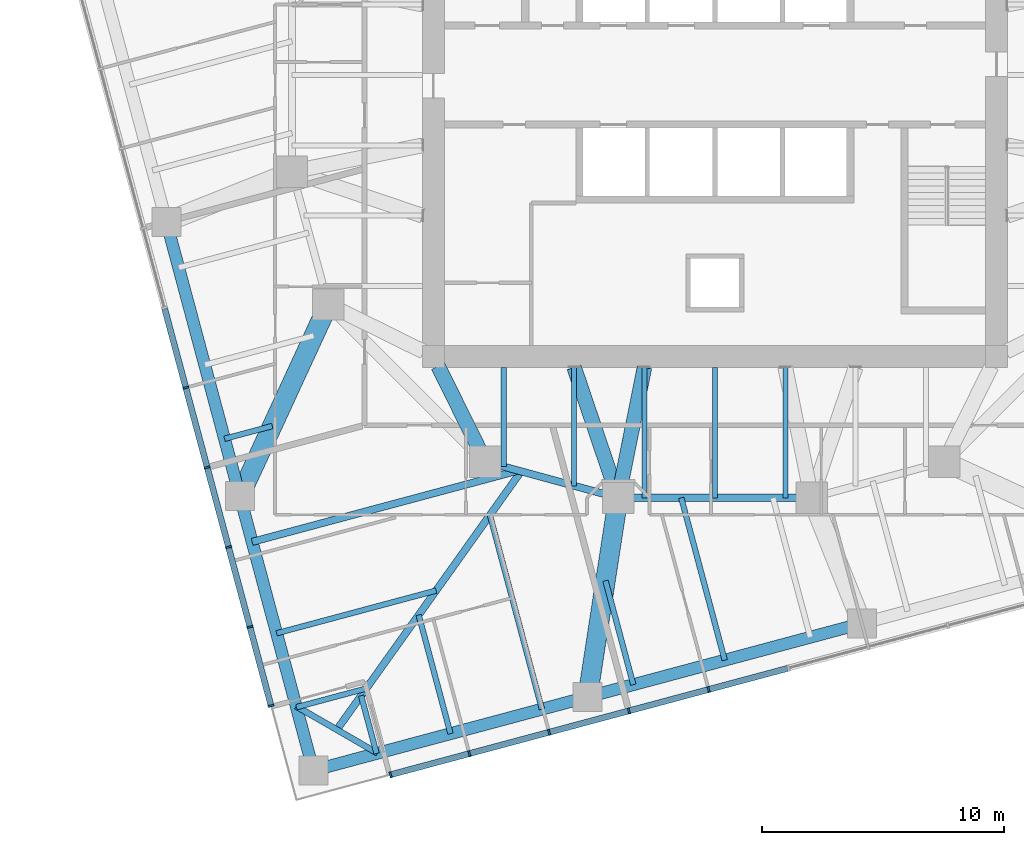
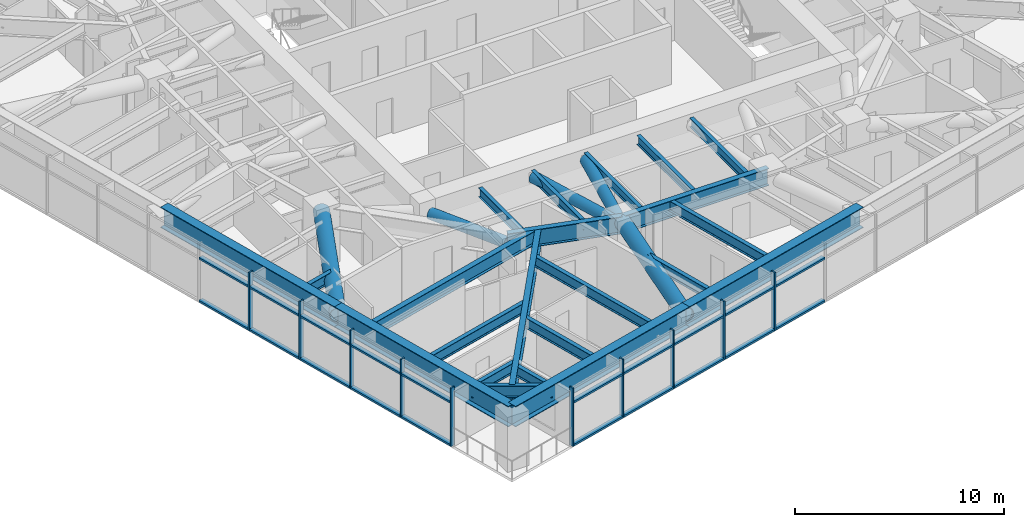
# One storey, part 2 of 18: 35 members, 22 beams, 2 elements without a shape of their own.
"""IFC4 building model written with IfcOpenShell, lengths in metres."""

from ifc_helpers import new_model, si_unit, direction, frame, origin, origin_2d, place, context, subcontext, project, spatial, rectangle, hollow_circle, i_section, extrude, material, material_profile, profile_set, type_object, element, aggregate, save


model = new_model("IFC4")

# Units and contexts
model_context = context("Model", 3, precision=1e-05, world=origin(), true_north=direction((0.0, 1.0)))
body_context = subcontext(model_context, "Body", "Model", "MODEL_VIEW")
ifc_project = project(units=[si_unit("LENGTHUNIT", "METRE"), si_unit("AREAUNIT", "SQUARE_METRE"), si_unit("VOLUMEUNIT", "CUBIC_METRE"), si_unit("PLANEANGLEUNIT", "RADIAN"), si_unit("MASSUNIT", "GRAM", prefix="KILO")], contexts=[model_context])

# Site, building, storey
site_placement = place(None, origin())
site = spatial("IfcSite", under=ifc_project, at=site_placement, CompositionType="ELEMENT")
building_placement = place(site_placement, origin())
building = spatial("IfcBuilding", under=site, at=building_placement, Name="Torsade Residences", CompositionType="ELEMENT")
storey_placement = place(building_placement, frame((0.0, 0.0, 135.39990234375)))
storey = spatial("IfcBuildingStorey", under=building, at=storey_placement, Name="L37", CompositionType="ELEMENT", Elevation=135.39990234375)

# Beams
ifc_material_1 = material(Name="Steel grade 300", Category="steel")
ifc_material_profile_1 = material_profile(ifc_material_1, i_section(OverallWidth=0.300048828125, OverallDepth=1.0, WebThickness=0.01611328125, FlangeThickness=0.028076171875, at=origin_2d()), Name="1000WB215")
ifc_profile_set_1 = profile_set([ifc_material_profile_1], Name="Steel grade 300")
beam_type_1 = type_object("IfcBeamType", Name="CORNER GIRDER 1000WB215", PredefinedType="BEAM", material=ifc_profile_set_1)
beam_1_placement = place(storey_placement, frame((24.355224609375, 2.902587890625, 2.7001953125), z_axis=(0.58060501147, 0.814185372416, 0.0), x_axis=(-0.814185372416, 0.58060501147, 0.0)))
element("IfcBeam", 1, at=beam_1_placement, inside=storey, type_object=beam_type_1, Name="Corner girder 01 L38", PredefinedType="BEAM", context=body_context, shape_type="SweptSolid", body=[
    extrude(i_section(OverallWidth=0.300048828125, OverallDepth=1.0, WebThickness=0.01611328125, FlangeThickness=0.028076171875, at=origin_2d()), origin(), (0.0, 0.0, 1.0), 13.134033203125),
])
ifc_material_2 = material(Name="Steel grade 300", Category="steel")
ifc_material_profile_2 = material_profile(ifc_material_2, i_section(OverallWidth=0.25, OverallDepth=0.699951171875, WebThickness=0.010009765625, FlangeThickness=0.02001953125, at=origin_2d()), Name="700WB130")
ifc_profile_set_2 = profile_set([ifc_material_profile_2], Name="Steel grade 300")
beam_type_2 = type_object("IfcBeamType", Name="CORNER TRIMMER 700WB130", PredefinedType="BEAM", material=ifc_profile_set_2)
beam_2_placement = place(storey_placement, frame((26.039306640625, 1.93017578125, 2.85009765625), z_axis=(-0.866028782848, 0.499994147244, 0.0), x_axis=(-0.499994147244, -0.866028782848, 0.0)))
element("IfcBeam", 2, at=beam_2_placement, inside=storey, type_object=beam_type_2, Name="Corner trimmer 01 L38", PredefinedType="BEAM", context=body_context, shape_type="SweptSolid", body=[
    extrude(i_section(OverallWidth=0.25, OverallDepth=0.699951171875, WebThickness=0.010009765625, FlangeThickness=0.02001953125, at=origin_2d()), origin(), (0.0, 0.0, 1.0), 3.88916015625),
])
ifc_material_3 = material(Name="Steel grade 300", Category="steel")
ifc_material_profile_3 = material_profile(ifc_material_3, i_section(OverallWidth=0.208984375, OverallDepth=0.528076171875, WebThickness=0.009521484375, FlangeThickness=0.01318359375, FilletRadius=0.013916015625, at=origin_2d()), Name="530UB82.0")
ifc_profile_set_3 = profile_set([ifc_material_profile_3], Name="Steel grade 300")
beam_type_3 = type_object("IfcBeamType", Name="INNER FLOOR BEAM 530UB82.0", PredefinedType="JOIST", material=ifc_profile_set_3)
for number, where, z_axis, x_axis, name in (
    (3, (42.91259765625, 17.89990234375, 2.93603515625), (0.0, -1.0, 0.0), (1.0, 0.0, 0.0), "Inner floor beam IS03 L38"),
    (4, (40.0, 17.89990234375, 2.93603515625), (0.0, -1.0, 0.0), (1.0, 0.0, 0.0), "Inner floor beam IS04 L38"),
    (5, (37.08740234375, 17.89990234375, 2.93603515625), (0.0, -1.0, 0.0), (1.0, 0.0, 0.0), "Inner floor beam IS05 L38"),
):
    element("IfcBeam", number, at=place(storey_placement, frame(where, z_axis=z_axis, x_axis=x_axis)), inside=storey, type_object=beam_type_3, Name=name, PredefinedType="JOIST", context=body_context, shape_type="SweptSolid", body=[
        extrude(i_section(OverallWidth=0.208984375, OverallDepth=0.528076171875, WebThickness=0.009521484375, FlangeThickness=0.01318359375, FilletRadius=0.013916015625, at=origin_2d()), origin(), (0.0, 0.0, 1.0), 5.39990234375),
    ])
beam_3_placement = place(storey_placement, frame((34.175048828125, 17.89990234375, 2.93603515625), z_axis=(0.0, -1.0, 0.0), x_axis=(1.0, 0.0, 0.0)))
element("IfcBeam", 6, at=beam_3_placement, inside=storey, type_object=beam_type_3, Name="Inner floor beam IS06 L38", PredefinedType="JOIST", context=body_context, shape_type="SweptSolid", body=[
    extrude(i_section(OverallWidth=0.208984375, OverallDepth=0.528076171875, WebThickness=0.009521484375, FlangeThickness=0.01318359375, FilletRadius=0.013916015625, at=origin_2d()), origin(), (0.0, 0.0, 1.0), 4.902099609375),
])
beam_4_placement = place(storey_placement, frame((31.262451171875, 17.89990234375, 2.93603515625), z_axis=(0.0, -1.0, 0.0), x_axis=(1.0, 0.0, 0.0)))
element("IfcBeam", 7, at=beam_4_placement, inside=storey, type_object=beam_type_3, Name="Inner floor beam IS07 L38", PredefinedType="JOIST", context=body_context, shape_type="SweptSolid", body=[
    extrude(i_section(OverallWidth=0.208984375, OverallDepth=0.528076171875, WebThickness=0.009521484375, FlangeThickness=0.01318359375, FilletRadius=0.013916015625, at=origin_2d()), origin(), (0.0, 0.0, 1.0), 4.10791015625),
])

# Curtain wall, members
ifc_material_4 = material(Name="Aluminium and glass", Category="aluminium")
curtain_wall_type = type_object("IfcCurtainWallType", Name="FRITTED GLASS CURTAIN WALL MID ZONE", PredefinedType="NOTDEFINED", material=ifc_material_4)
curtain_wall_1_placement = place(storey_placement, origin())
curtain_wall_1 = element("IfcCurtainWall", 8, at=curtain_wall_1_placement, inside=storey, type_object=curtain_wall_type, Name="Curtain wall L37 face 1", PredefinedType="NOTDEFINED")
ifc_material_5 = material(Name="Aluminium mullion", Category="aluminium")
ifc_material_profile_4 = material_profile(ifc_material_5, rectangle(XDim=0.25, YDim=0.080078125, at=origin_2d()), Name="MID ZONE CURTAIN WALL MULLION 250x80")
ifc_profile_set_4 = profile_set([ifc_material_profile_4], Name="Aluminium mullion")
member_type_1 = type_object("IfcMemberType", Name="MID ZONE CURTAIN WALL MULLION 250x80", PredefinedType="MULLION", material=ifc_profile_set_4)
member_1_placement = place(storey_placement, frame((26.578125, 1.039306640625, 0.0), z_axis=(0.0, 0.0, 1.0), x_axis=(-0.258819047783, 0.965925825571, 0.0)))
member_1 = element("IfcMember", 9, at=member_1_placement, type_object=member_type_1, Name="Mullion 1", PredefinedType="MULLION", context=body_context, shape_type="SweptSolid", body=[
    extrude(rectangle(XDim=0.25, YDim=0.080078125, at=origin_2d()), origin(), (0.0, 0.0, 1.0), 3.400146484375),
])
member_2_placement = place(storey_placement, frame((29.83984375, 1.913330078125, 0.0), z_axis=(0.0, 0.0, 1.0), x_axis=(-0.258819047783, 0.965925825571, 0.0)))
member_2 = element("IfcMember", 10, at=member_2_placement, type_object=member_type_1, Name="Mullion 2", PredefinedType="MULLION", context=body_context, shape_type="SweptSolid", body=[
    extrude(rectangle(XDim=0.25, YDim=0.080078125, at=origin_2d()), origin(), (0.0, 0.0, 1.0), 3.400146484375),
])
member_3_placement = place(storey_placement, frame((33.14013671875, 2.797607421875, 0.0), z_axis=(0.0, 0.0, 1.0), x_axis=(-0.258819047783, 0.965925825571, 0.0)))
member_3 = element("IfcMember", 11, at=member_3_placement, type_object=member_type_1, Name="Mullion 3", PredefinedType="MULLION", context=body_context, shape_type="SweptSolid", body=[
    extrude(rectangle(XDim=0.25, YDim=0.080078125, at=origin_2d()), origin(), (0.0, 0.0, 1.0), 3.400146484375),
])
member_4_placement = place(storey_placement, frame((36.4404296875, 3.681884765625, 0.0), z_axis=(0.0, 0.0, 1.0), x_axis=(-0.258819047783, 0.965925825571, 0.0)))
member_4 = element("IfcMember", 12, at=member_4_placement, type_object=member_type_1, Name="Mullion 4", PredefinedType="MULLION", context=body_context, shape_type="SweptSolid", body=[
    extrude(rectangle(XDim=0.25, YDim=0.080078125, at=origin_2d()), origin(), (0.0, 0.0, 1.0), 3.400146484375),
])
member_5_placement = place(storey_placement, frame((39.740478515625, 4.566162109375, 0.0), z_axis=(0.0, 0.0, 1.0), x_axis=(-0.258819047783, 0.965925825571, 0.0)))
member_5 = element("IfcMember", 13, at=member_5_placement, type_object=member_type_1, Name="Mullion 5", PredefinedType="MULLION", context=body_context, shape_type="SweptSolid", body=[
    extrude(rectangle(XDim=0.25, YDim=0.080078125, at=origin_2d()), origin(), (0.0, 0.0, 1.0), 3.400146484375),
])

curtain_wall_2_placement = place(storey_placement, origin())
curtain_wall_2 = element("IfcCurtainWall", 14, at=curtain_wall_2_placement, inside=storey, type_object=curtain_wall_type, Name="Curtain wall L37 face 10", PredefinedType="NOTDEFINED")
member_6_placement = place(storey_placement, frame((18.103515625, 17.058349609375, 0.0), z_axis=(0.0, 0.0, 1.0), x_axis=(0.965925825571, 0.258819047783, 0.0)))
member_6 = element("IfcMember", 15, at=member_6_placement, type_object=member_type_1, Name="Mullion 9", PredefinedType="MULLION", context=body_context, shape_type="SweptSolid", body=[
    extrude(rectangle(XDim=0.25, YDim=0.080078125, at=origin_2d()), origin(), (0.0, 0.0, 1.0), 3.400146484375),
])
member_7_placement = place(storey_placement, frame((18.98779296875, 13.75830078125, 0.0), z_axis=(0.0, 0.0, 1.0), x_axis=(0.965925825571, 0.258819047783, 0.0)))
member_7 = element("IfcMember", 16, at=member_7_placement, type_object=member_type_1, Name="Mullion 10", PredefinedType="MULLION", context=body_context, shape_type="SweptSolid", body=[
    extrude(rectangle(XDim=0.25, YDim=0.080078125, at=origin_2d()), origin(), (0.0, 0.0, 1.0), 3.400146484375),
])
member_8_placement = place(storey_placement, frame((19.8720703125, 10.4580078125, 0.0), z_axis=(0.0, 0.0, 1.0), x_axis=(0.965925825571, 0.258819047783, 0.0)))
member_8 = element("IfcMember", 17, at=member_8_placement, type_object=member_type_1, Name="Mullion 11", PredefinedType="MULLION", context=body_context, shape_type="SweptSolid", body=[
    extrude(rectangle(XDim=0.25, YDim=0.080078125, at=origin_2d()), origin(), (0.0, 0.0, 1.0), 3.400146484375),
])
member_9_placement = place(storey_placement, frame((20.75634765625, 7.15771484375, 0.0), z_axis=(0.0, 0.0, 1.0), x_axis=(0.965925825571, 0.258819047783, 0.0)))
member_9 = element("IfcMember", 18, at=member_9_placement, type_object=member_type_1, Name="Mullion 12", PredefinedType="MULLION", context=body_context, shape_type="SweptSolid", body=[
    extrude(rectangle(XDim=0.25, YDim=0.080078125, at=origin_2d()), origin(), (0.0, 0.0, 1.0), 3.400146484375),
])
member_10_placement = place(storey_placement, frame((21.63037109375, 3.89599609375, 0.0), z_axis=(0.0, 0.0, 1.0), x_axis=(0.965925825571, 0.258819047783, 0.0)))
member_10 = element("IfcMember", 19, at=member_10_placement, type_object=member_type_1, Name="Mullion 13", PredefinedType="MULLION", context=body_context, shape_type="SweptSolid", body=[
    extrude(rectangle(XDim=0.25, YDim=0.080078125, at=origin_2d()), origin(), (0.0, 0.0, 1.0), 3.400146484375),
])

# Member
ifc_material_6 = material(Name="Aluminium transom", Category="aluminium")
ifc_material_profile_5 = material_profile(ifc_material_6, rectangle(XDim=0.25, YDim=0.110107421875, at=origin_2d()), Name="MID ZONE CURTAIN WALL TRANSOM 250x110")
ifc_profile_set_5 = profile_set([ifc_material_profile_5], Name="Aluminium transom")
member_type_2 = type_object("IfcMemberType", Name="MID ZONE CURTAIN WALL TRANSOM 250x110", PredefinedType="USERDEFINED", material=ifc_profile_set_5)
member_11_placement = place(storey_placement, frame((26.616943359375, 1.0498046875, 0.05517578125), z_axis=(0.965923258633, 0.258828627534, 0.0), x_axis=(-0.258828627534, 0.965923258633, 0.0)))
member_11 = element("IfcMember", 20, at=member_11_placement, type_object=member_type_2, Name="Transom 1.1", ObjectType="TRANSOM", PredefinedType="USERDEFINED", context=body_context, shape_type="SweptSolid", body=[
    extrude(rectangle(XDim=0.25, YDim=0.110107421875, at=origin_2d()), origin(), (0.0, 0.0, 1.0), 3.296630859375),
])

member_12_placement = place(storey_placement, frame((26.616943359375, 1.0498046875, 2.55517578125), z_axis=(0.965923258633, 0.258828627534, 0.0), x_axis=(-0.258828627534, 0.965923258633, 0.0)))
member_12 = element("IfcMember", 21, at=member_12_placement, type_object=member_type_2, Name="Transom 1.2", ObjectType="TRANSOM", PredefinedType="USERDEFINED", context=body_context, shape_type="SweptSolid", body=[
    extrude(rectangle(XDim=0.25, YDim=0.110107421875, at=origin_2d()), origin(), (0.0, 0.0, 1.0), 3.296630859375),
])

member_13_placement = place(storey_placement, frame((29.87841796875, 1.923583984375, 0.05517578125), z_axis=(0.965916044226, 0.258855549498, 0.0), x_axis=(-0.258855549498, 0.965916044226, 0.0)))
member_13 = element("IfcMember", 22, at=member_13_placement, type_object=member_type_2, Name="Transom 2.1", ObjectType="TRANSOM", PredefinedType="USERDEFINED", context=body_context, shape_type="SweptSolid", body=[
    extrude(rectangle(XDim=0.25, YDim=0.110107421875, at=origin_2d()), origin(), (0.0, 0.0, 1.0), 3.3369140625),
])

member_14_placement = place(storey_placement, frame((29.87841796875, 1.923583984375, 2.55517578125), z_axis=(0.965916044226, 0.258855549498, 0.0), x_axis=(-0.258855549498, 0.965916044226, 0.0)))
member_14 = element("IfcMember", 23, at=member_14_placement, type_object=member_type_2, Name="Transom 2.2", ObjectType="TRANSOM", PredefinedType="USERDEFINED", context=body_context, shape_type="SweptSolid", body=[
    extrude(rectangle(XDim=0.25, YDim=0.110107421875, at=origin_2d()), origin(), (0.0, 0.0, 1.0), 3.3369140625),
])

member_15_placement = place(storey_placement, frame((33.1787109375, 2.807861328125, 0.05517578125), z_axis=(0.96591114124, 0.258873844232, 0.0), x_axis=(-0.258873844232, 0.96591114124, 0.0)))
member_15 = element("IfcMember", 24, at=member_15_placement, type_object=member_type_2, Name="Transom 3.1", ObjectType="TRANSOM", PredefinedType="USERDEFINED", context=body_context, shape_type="SweptSolid", body=[
    extrude(rectangle(XDim=0.25, YDim=0.110107421875, at=origin_2d()), origin(), (0.0, 0.0, 1.0), 3.336669921875),
])

member_16_placement = place(storey_placement, frame((33.1787109375, 2.807861328125, 2.55517578125), z_axis=(0.96591114124, 0.258873844232, 0.0), x_axis=(-0.258873844232, 0.96591114124, 0.0)))
member_16 = element("IfcMember", 25, at=member_16_placement, type_object=member_type_2, Name="Transom 3.2", ObjectType="TRANSOM", PredefinedType="USERDEFINED", context=body_context, shape_type="SweptSolid", body=[
    extrude(rectangle(XDim=0.25, YDim=0.110107421875, at=origin_2d()), origin(), (0.0, 0.0, 1.0), 3.336669921875),
])

member_17_placement = place(storey_placement, frame((36.47900390625, 3.6923828125, 0.05517578125), z_axis=(0.965929435155, 0.258805576255, 0.0), x_axis=(-0.258805576255, 0.965929435155, 0.0)))
member_17 = element("IfcMember", 26, at=member_17_placement, type_object=member_type_2, Name="Transom 4.1", ObjectType="TRANSOM", PredefinedType="USERDEFINED", context=body_context, shape_type="SweptSolid", body=[
    extrude(rectangle(XDim=0.25, YDim=0.110107421875, at=origin_2d()), origin(), (0.0, 0.0, 1.0), 3.336669921875),
])

member_18_placement = place(storey_placement, frame((36.47900390625, 3.6923828125, 2.55517578125), z_axis=(0.965929435155, 0.258805576255, 0.0), x_axis=(-0.258805576255, 0.965929435155, 0.0)))
member_18 = element("IfcMember", 27, at=member_18_placement, type_object=member_type_2, Name="Transom 4.2", ObjectType="TRANSOM", PredefinedType="USERDEFINED", context=body_context, shape_type="SweptSolid", body=[
    extrude(rectangle(XDim=0.25, YDim=0.110107421875, at=origin_2d()), origin(), (0.0, 0.0, 1.0), 3.336669921875),
])

member_19_placement = place(storey_placement, frame((39.779296875, 4.57666015625, 0.05517578125), z_axis=(0.965929435155, 0.258805576255, 0.0), x_axis=(-0.258805576255, 0.965929435155, 0.0)))
member_19 = element("IfcMember", 28, at=member_19_placement, type_object=member_type_2, Name="Transom 5.1", ObjectType="TRANSOM", PredefinedType="USERDEFINED", context=body_context, shape_type="SweptSolid", body=[
    extrude(rectangle(XDim=0.25, YDim=0.110107421875, at=origin_2d()), origin(), (0.0, 0.0, 1.0), 3.336669921875),
])

member_20_placement = place(storey_placement, frame((39.779296875, 4.57666015625, 2.55517578125), z_axis=(0.965929435155, 0.258805576255, 0.0), x_axis=(-0.258805576255, 0.965929435155, 0.0)))
member_20 = element("IfcMember", 29, at=member_20_placement, type_object=member_type_2, Name="Transom 5.2", ObjectType="TRANSOM", PredefinedType="USERDEFINED", context=body_context, shape_type="SweptSolid", body=[
    extrude(rectangle(XDim=0.25, YDim=0.110107421875, at=origin_2d()), origin(), (0.0, 0.0, 1.0), 3.336669921875),
])

aggregate(curtain_wall_1, [member_1, member_2, member_3, member_4, member_5, member_11, member_12, member_13, member_14, member_15, member_16, member_17, member_18, member_19, member_20])

member_21_placement = place(storey_placement, frame((17.2294921875, 20.320068359375, 0.05517578125), z_axis=(0.258805576255, -0.965929435155, 0.0), x_axis=(0.965929435155, 0.258805576255, 0.0)))
member_21 = element("IfcMember", 30, at=member_21_placement, type_object=member_type_2, Name="Transom 8.1", ObjectType="TRANSOM", PredefinedType="USERDEFINED", context=body_context, shape_type="SweptSolid", body=[
    extrude(rectangle(XDim=0.25, YDim=0.110107421875, at=origin_2d()), origin(), (0.0, 0.0, 1.0), 3.336669921875),
])

member_22_placement = place(storey_placement, frame((17.2294921875, 20.320068359375, 2.55517578125), z_axis=(0.258805576255, -0.965929435155, 0.0), x_axis=(0.965929435155, 0.258805576255, 0.0)))
member_22 = element("IfcMember", 31, at=member_22_placement, type_object=member_type_2, Name="Transom 8.2", ObjectType="TRANSOM", PredefinedType="USERDEFINED", context=body_context, shape_type="SweptSolid", body=[
    extrude(rectangle(XDim=0.25, YDim=0.110107421875, at=origin_2d()), origin(), (0.0, 0.0, 1.0), 3.336669921875),
])

member_23_placement = place(storey_placement, frame((18.11376953125, 17.019775390625, 0.05517578125), z_axis=(0.258805576255, -0.965929435155, 0.0), x_axis=(0.965929435155, 0.258805576255, 0.0)))
member_23 = element("IfcMember", 32, at=member_23_placement, type_object=member_type_2, Name="Transom 9.1", ObjectType="TRANSOM", PredefinedType="USERDEFINED", context=body_context, shape_type="SweptSolid", body=[
    extrude(rectangle(XDim=0.25, YDim=0.110107421875, at=origin_2d()), origin(), (0.0, 0.0, 1.0), 3.336669921875),
])

member_24_placement = place(storey_placement, frame((18.11376953125, 17.019775390625, 2.55517578125), z_axis=(0.258805576255, -0.965929435155, 0.0), x_axis=(0.965929435155, 0.258805576255, 0.0)))
member_24 = element("IfcMember", 33, at=member_24_placement, type_object=member_type_2, Name="Transom 9.2", ObjectType="TRANSOM", PredefinedType="USERDEFINED", context=body_context, shape_type="SweptSolid", body=[
    extrude(rectangle(XDim=0.25, YDim=0.110107421875, at=origin_2d()), origin(), (0.0, 0.0, 1.0), 3.336669921875),
])

member_25_placement = place(storey_placement, frame((18.998046875, 13.719482421875, 0.05517578125), z_axis=(0.258805576255, -0.965929435155, 0.0), x_axis=(0.965929435155, 0.258805576255, 0.0)))
member_25 = element("IfcMember", 34, at=member_25_placement, type_object=member_type_2, Name="Transom 10.1", ObjectType="TRANSOM", PredefinedType="USERDEFINED", context=body_context, shape_type="SweptSolid", body=[
    extrude(rectangle(XDim=0.25, YDim=0.110107421875, at=origin_2d()), origin(), (0.0, 0.0, 1.0), 3.336669921875),
])

member_26_placement = place(storey_placement, frame((18.998046875, 13.719482421875, 2.55517578125), z_axis=(0.258805576255, -0.965929435155, 0.0), x_axis=(0.965929435155, 0.258805576255, 0.0)))
member_26 = element("IfcMember", 35, at=member_26_placement, type_object=member_type_2, Name="Transom 10.2", ObjectType="TRANSOM", PredefinedType="USERDEFINED", context=body_context, shape_type="SweptSolid", body=[
    extrude(rectangle(XDim=0.25, YDim=0.110107421875, at=origin_2d()), origin(), (0.0, 0.0, 1.0), 3.336669921875),
])

member_27_placement = place(storey_placement, frame((19.88232421875, 10.419189453125, 0.05517578125), z_axis=(0.258805576255, -0.965929435155, 0.0), x_axis=(0.965929435155, 0.258805576255, 0.0)))
member_27 = element("IfcMember", 36, at=member_27_placement, type_object=member_type_2, Name="Transom 11.1", ObjectType="TRANSOM", PredefinedType="USERDEFINED", context=body_context, shape_type="SweptSolid", body=[
    extrude(rectangle(XDim=0.25, YDim=0.110107421875, at=origin_2d()), origin(), (0.0, 0.0, 1.0), 3.336669921875),
])

member_28_placement = place(storey_placement, frame((19.88232421875, 10.419189453125, 2.55517578125), z_axis=(0.258805576255, -0.965929435155, 0.0), x_axis=(0.965929435155, 0.258805576255, 0.0)))
member_28 = element("IfcMember", 37, at=member_28_placement, type_object=member_type_2, Name="Transom 11.2", ObjectType="TRANSOM", PredefinedType="USERDEFINED", context=body_context, shape_type="SweptSolid", body=[
    extrude(rectangle(XDim=0.25, YDim=0.110107421875, at=origin_2d()), origin(), (0.0, 0.0, 1.0), 3.336669921875),
])

member_29_placement = place(storey_placement, frame((20.7666015625, 7.119140625, 0.05517578125), z_axis=(0.258828627534, -0.965923258633, 0.0), x_axis=(0.965923258633, 0.258828627534, 0.0)))
member_29 = element("IfcMember", 38, at=member_29_placement, type_object=member_type_2, Name="Transom 12.1", ObjectType="TRANSOM", PredefinedType="USERDEFINED", context=body_context, shape_type="SweptSolid", body=[
    extrude(rectangle(XDim=0.25, YDim=0.110107421875, at=origin_2d()), origin(), (0.0, 0.0, 1.0), 3.296630859375),
])

member_30_placement = place(storey_placement, frame((20.7666015625, 7.119140625, 2.55517578125), z_axis=(0.258828627534, -0.965923258633, 0.0), x_axis=(0.965923258633, 0.258828627534, 0.0)))
member_30 = element("IfcMember", 39, at=member_30_placement, type_object=member_type_2, Name="Transom 12.2", ObjectType="TRANSOM", PredefinedType="USERDEFINED", context=body_context, shape_type="SweptSolid", body=[
    extrude(rectangle(XDim=0.25, YDim=0.110107421875, at=origin_2d()), origin(), (0.0, 0.0, 1.0), 3.296630859375),
])

aggregate(curtain_wall_2, [member_6, member_7, member_8, member_9, member_10, member_21, member_22, member_23, member_24, member_25, member_26, member_27, member_28, member_29, member_30])

# Beams
ifc_material_7 = material(Name="Steel grade 300", Category="steel")
ifc_material_profile_6 = material_profile(ifc_material_7, i_section(OverallWidth=0.300048828125, OverallDepth=1.0, WebThickness=0.01611328125, FlangeThickness=0.028076171875, at=origin_2d()), Name="1000WB215")
ifc_profile_set_6 = profile_set([ifc_material_profile_6], Name="Steel grade 300")
beam_type_4 = type_object("IfcBeamType", Name="RING GIRDER 1000WB215", PredefinedType="BEAM", material=ifc_profile_set_6)
beam_5_placement = place(storey_placement, frame((30.5, 14.0, 2.7001953125), z_axis=(0.964763821238, -0.263117405792, 0.0), x_axis=(0.263117405792, 0.964763821238, 0.0)))
element("IfcBeam", 40, at=beam_5_placement, inside=storey, type_object=beam_type_4, Name="Ring girder IR12 L38", PredefinedType="BEAM", context=body_context, shape_type="SweptSolid", body=[
    extrude(i_section(OverallWidth=0.300048828125, OverallDepth=1.0, WebThickness=0.01611328125, FlangeThickness=0.028076171875, at=origin_2d()), origin(), (0.0, 0.0, 1.0), 5.700927734375),
])
beam_6_placement = place(storey_placement, frame((36.0, 12.5, 2.7001953125), z_axis=(1.0, 0.0, 0.0), x_axis=(0.0, 1.0, 0.0)))
element("IfcBeam", 41, at=beam_6_placement, inside=storey, type_object=beam_type_4, Name="Ring girder IR13 L38", PredefinedType="BEAM", context=body_context, shape_type="SweptSolid", body=[
    extrude(i_section(OverallWidth=0.300048828125, OverallDepth=1.0, WebThickness=0.01611328125, FlangeThickness=0.028076171875, at=origin_2d()), origin(), (0.0, 0.0, 1.0), 8.0),
])
ifc_material_8 = material(Name="Steel grade 300", Category="steel")
ifc_material_profile_7 = material_profile(ifc_material_8, i_section(OverallWidth=0.22900390625, OverallDepth=0.612060546875, WebThickness=0.011962890625, FlangeThickness=0.01953125, FilletRadius=0.013916015625, at=origin_2d()), Name="610UB125")
ifc_profile_set_7 = profile_set([ifc_material_profile_7], Name="Steel grade 300")
beam_type_5 = type_object("IfcBeamType", Name="SECONDARY BEAM 610UB125", PredefinedType="JOIST", material=ifc_profile_set_7)
beam_7_placement = place(storey_placement, frame((25.9990234375, 1.91943359375, 2.89404296875), z_axis=(-0.258798553987, 0.965931316634, 0.0), x_axis=(-0.965931316634, -0.258798553987, 0.0)))
element("IfcBeam", 42, at=beam_7_placement, inside=storey, type_object=beam_type_5, Name="Floor beam FS01 L38", PredefinedType="JOIST", context=body_context, shape_type="SweptSolid", body=[
    extrude(i_section(OverallWidth=0.22900390625, OverallDepth=0.612060546875, WebThickness=0.011962890625, FlangeThickness=0.01953125, FilletRadius=0.013916015625, at=origin_2d()), origin(), (0.0, 0.0, 1.0), 2.474365234375),
])
beam_8_placement = place(storey_placement, frame((29.057861328125, 2.739013671875, 2.89404296875), z_axis=(-0.258812874871, 0.965927479577, 0.0), x_axis=(-0.965927479577, -0.258812874871, 0.0)))
element("IfcBeam", 43, at=beam_8_placement, inside=storey, type_object=beam_type_5, Name="Floor beam FS02 L38", PredefinedType="JOIST", context=body_context, shape_type="SweptSolid", body=[
    extrude(i_section(OverallWidth=0.22900390625, OverallDepth=0.612060546875, WebThickness=0.011962890625, FlangeThickness=0.01953125, FilletRadius=0.013916015625, at=origin_2d()), origin(), (0.0, 0.0, 1.0), 5.08544921875),
])
beam_9_placement = place(storey_placement, frame((32.841064453125, 3.752685546875, 2.89404296875), z_axis=(-0.258819249667, 0.965925771476, 0.0), x_axis=(-0.965925771476, -0.258819249667, 0.0)))
element("IfcBeam", 44, at=beam_9_placement, inside=storey, type_object=beam_type_5, Name="Floor beam FS03 L38", PredefinedType="JOIST", context=body_context, shape_type="SweptSolid", body=[
    extrude(i_section(OverallWidth=0.22900390625, OverallDepth=0.612060546875, WebThickness=0.011962890625, FlangeThickness=0.01953125, FilletRadius=0.013916015625, at=origin_2d()), origin(), (0.0, 0.0, 1.0), 8.315185546875),
])
beam_10_placement = place(storey_placement, frame((36.624267578125, 4.766357421875, 2.89404296875), z_axis=(-0.258836590722, 0.965921124784, 0.0), x_axis=(-0.965921124784, -0.258836590722, 0.0)))
element("IfcBeam", 45, at=beam_10_placement, inside=storey, type_object=beam_type_5, Name="Floor beam FS04 L38", PredefinedType="JOIST", context=body_context, shape_type="SweptSolid", body=[
    extrude(i_section(OverallWidth=0.22900390625, OverallDepth=0.612060546875, WebThickness=0.011962890625, FlangeThickness=0.01953125, FilletRadius=0.013916015625, at=origin_2d()), origin(), (0.0, 0.0, 1.0), 4.451904296875),
])
beam_11_placement = place(storey_placement, frame((40.407470703125, 5.7802734375, 2.89404296875), z_axis=(-0.258817945835, 0.965926120836, 0.0), x_axis=(-0.965926120836, -0.258817945835, 0.0)))
element("IfcBeam", 46, at=beam_11_placement, inside=storey, type_object=beam_type_5, Name="Floor beam FS05 L38", PredefinedType="JOIST", context=body_context, shape_type="SweptSolid", body=[
    extrude(i_section(OverallWidth=0.22900390625, OverallDepth=0.612060546875, WebThickness=0.011962890625, FlangeThickness=0.01953125, FilletRadius=0.013916015625, at=origin_2d()), origin(), (0.0, 0.0, 1.0), 6.956787109375),
])
beam_12_placement = place(storey_placement, frame((19.70556640625, 14.942626953125, 2.89404296875), z_axis=(0.965933133225, 0.258791773706, 0.0), x_axis=(-0.258791773706, 0.965933133225, 0.0)))
element("IfcBeam", 47, at=beam_12_placement, inside=storey, type_object=beam_type_5, Name="Floor beam FW09 L38", PredefinedType="JOIST", context=body_context, shape_type="SweptSolid", body=[
    extrude(i_section(OverallWidth=0.22900390625, OverallDepth=0.612060546875, WebThickness=0.011962890625, FlangeThickness=0.01953125, FilletRadius=0.013916015625, at=origin_2d()), origin(), (0.0, 0.0, 1.0), 2.045166015625),
])
beam_13_placement = place(storey_placement, frame((21.862548828125, 6.893310546875, 2.89404296875), z_axis=(0.965927635859, 0.2588122916, 0.0), x_axis=(-0.2588122916, 0.965927635859, 0.0)))
element("IfcBeam", 48, at=beam_13_placement, inside=storey, type_object=beam_type_5, Name="Floor beam FW11 L38", PredefinedType="JOIST", context=body_context, shape_type="SweptSolid", body=[
    extrude(i_section(OverallWidth=0.22900390625, OverallDepth=0.612060546875, WebThickness=0.011962890625, FlangeThickness=0.01953125, FilletRadius=0.013916015625, at=origin_2d()), origin(), (0.0, 0.0, 1.0), 6.83251953125),
])
beam_14_placement = place(storey_placement, frame((22.68212890625, 3.83447265625, 2.89404296875), z_axis=(0.965920003572, 0.258840774802, 0.0), x_axis=(-0.258840774802, 0.965920003572, 0.0)))
element("IfcBeam", 49, at=beam_14_placement, inside=storey, type_object=beam_type_5, Name="Floor beam FW12 L38", PredefinedType="JOIST", context=body_context, shape_type="SweptSolid", body=[
    extrude(i_section(OverallWidth=0.22900390625, OverallDepth=0.612060546875, WebThickness=0.011962890625, FlangeThickness=0.01953125, FilletRadius=0.013916015625, at=origin_2d()), origin(), (0.0, 0.0, 1.0), 2.991943359375),
])
ifc_material_9 = material(Name="Steel grade 300", Category="steel")
ifc_material_profile_8 = material_profile(ifc_material_9, i_section(OverallWidth=0.300048828125, OverallDepth=0.800048828125, WebThickness=0.010009765625, FlangeThickness=0.02001953125, at=origin_2d()), Name="800WB146")
ifc_profile_set_8 = profile_set([ifc_material_profile_8], Name="Steel grade 300")
beam_type_6 = type_object("IfcBeamType", Name="SECONDARY BEAM 800WB146", PredefinedType="JOIST", material=ifc_profile_set_8)
beam_15_placement = place(storey_placement, frame((20.8486328125, 10.676513671875, 2.800048828125), z_axis=(0.965929035417, 0.258807068179, 0.0), x_axis=(-0.258807068179, 0.965929035417, 0.0)))
element("IfcBeam", 50, at=beam_15_placement, inside=storey, type_object=beam_type_6, Name="Floor beam FW10 L38", PredefinedType="JOIST", context=body_context, shape_type="SweptSolid", body=[
    extrude(i_section(OverallWidth=0.300048828125, OverallDepth=0.800048828125, WebThickness=0.010009765625, FlangeThickness=0.02001953125, at=origin_2d()), origin(), (0.0, 0.0, 1.0), 11.40380859375),
])

# Members
ifc_material_10 = material(Name="Steel grade 450", Category="steel")
ifc_material_profile_9 = material_profile(ifc_material_10, hollow_circle(Radius=0.304931640625, WallThickness=0.01611328125, at=origin_2d()), Name="610.0x16.0CHS")
ifc_profile_set_9 = profile_set([ifc_material_profile_9], Name="Steel grade 450")
member_type_3 = type_object("IfcMemberType", Name="TRANSFER FLOOR BRACE 610.0x16.0CHS", PredefinedType="BRACE", material=ifc_profile_set_9)
member_31_placement = place(storey_placement, frame((30.5, 14.0, 2.60009765625), z_axis=(-0.443105036702, 0.896469701914, 0.0), x_axis=(-0.896469701914, -0.443105036702, 0.0)))
element("IfcMember", 51, at=member_31_placement, inside=storey, type_object=member_type_3, Name="Transfer floor brace TT4 bottom IR12C", PredefinedType="BRACE", context=body_context, shape_type="SweptSolid", body=[
    extrude(hollow_circle(Radius=0.304931640625, WallThickness=0.01611328125, at=origin_2d()), origin(), (0.0, 0.0, 1.0), 4.40234375),
])
member_32_placement = place(storey_placement, frame((36.0, 12.5, 2.60009765625), z_axis=(0.197299045909, 0.97976207845, 0.03375434957), x_axis=(-0.980320704809, 0.197411538983, 0.0)))
element("IfcMember", 52, at=member_32_placement, inside=storey, type_object=member_type_3, Name="Transfer floor brace TT4 bottom IR13IS05", PredefinedType="BRACE", context=body_context, shape_type="SweptSolid", body=[
    extrude(hollow_circle(Radius=0.304931640625, WallThickness=0.01611328125, at=origin_2d()), origin(), (0.0, 0.0, 1.0), 5.511474609375),
])
member_33_placement = place(storey_placement, frame((36.0, 12.5, 2.60009765625), z_axis=(-0.319999474368, 0.946855969774, 0.032620682203), x_axis=(-0.947360151124, -0.320169867513, 0.0)))
element("IfcMember", 53, at=member_33_placement, inside=storey, type_object=member_type_3, Name="Transfer floor brace TT4 bottom IR13IS06", PredefinedType="BRACE", context=body_context, shape_type="SweptSolid", body=[
    extrude(hollow_circle(Radius=0.304931640625, WallThickness=0.01611328125, at=origin_2d()), origin(), (0.0, 0.0, 1.0), 5.702880859375),
])
ifc_material_11 = material(Name="Steel grade 450", Category="steel")
ifc_material_profile_10 = material_profile(ifc_material_11, hollow_circle(Radius=0.406494140625, WallThickness=0.02490234375, at=origin_2d()), Name="813.0x25.0CHS")
ifc_profile_set_10 = profile_set([ifc_material_profile_10], Name="Steel grade 450")
member_type_4 = type_object("IfcMemberType", Name="TRANSFER FLOOR STRUT 813.0x25.0CHS", PredefinedType="STRUT", material=ifc_profile_set_10)
member_34_placement = place(storey_placement, frame((34.732666015625, 4.259521484375, 2.800048828125), z_axis=(0.152006574044, 0.98837948251, 0.0), x_axis=(-0.98837948251, 0.152006574044, 0.0)))
element("IfcMember", 54, at=member_34_placement, inside=storey, type_object=member_type_4, Name="Transfer floor strut TT4 bottom 02IR13", PredefinedType="STRUT", context=body_context, shape_type="SweptSolid", body=[
    extrude(hollow_circle(Radius=0.406494140625, WallThickness=0.02490234375, at=origin_2d()), origin(), (0.0, 0.0, 1.0), 8.33740234375),
])
member_35_placement = place(storey_placement, frame((20.341796875, 12.568115234375, 2.800048828125), z_axis=(0.418806472813, 0.908075513562, 0.0), x_axis=(-0.908075513562, 0.418806472813, 0.0)))
element("IfcMember", 55, at=member_35_placement, inside=storey, type_object=member_type_4, Name="Transfer floor strut TT4 bottom 16IR11", PredefinedType="STRUT", context=body_context, shape_type="SweptSolid", body=[
    extrude(hollow_circle(Radius=0.406494140625, WallThickness=0.02490234375, at=origin_2d()), origin(), (0.0, 0.0, 1.0), 8.73486328125),
])

# Beams
ifc_material_12 = material(Name="Steel grade 300", Category="steel")
ifc_material_profile_11 = material_profile(ifc_material_12, i_section(OverallWidth=0.5, OverallDepth=1.199951171875, WebThickness=0.01611328125, FlangeThickness=0.0400390625, at=origin_2d()), Name="1200WB455")
ifc_profile_set_11 = profile_set([ifc_material_profile_11], Name="Steel grade 300")
beam_type_7 = type_object("IfcBeamType", Name="TRANSFER TRUSS CHORD 1200WB455", PredefinedType="USERDEFINED", material=ifc_profile_set_11)
for number, where, z_axis, x_axis, name in (
    (56, (23.383056640625, 1.218505859375, 2.800048828125), (0.965928018634, 0.258810863021, 0.0), (-0.258810863021, 0.965928018634, 0.0), "Transfer truss TT4 bottom chord 01"),
    (57, (34.732666015625, 4.259521484375, 2.800048828125), (0.965922824118, 0.258830249097, 0.0), (-0.258830249097, 0.965922824118, 0.0), "Transfer truss TT4 bottom chord 02"),
    (58, (17.30078125, 23.917724609375, 2.800048828125), (0.258810863021, -0.965928018634, 0.0), (0.965928018634, 0.258810863021, 0.0), "Transfer truss TT4 bottom chord 15"),
    (59, (20.341796875, 12.568115234375, 2.800048828125), (0.258830249097, -0.965922824118, 0.0), (0.965922824118, 0.258830249097, 0.0), "Transfer truss TT4 bottom chord 16"),
):
    element("IfcBeam", number, at=place(storey_placement, frame(where, z_axis=z_axis, x_axis=x_axis)), inside=storey, type_object=beam_type_7, Name=name, ObjectType="TRANSFER TRUSS CHORD", PredefinedType="USERDEFINED", context=body_context, shape_type="SweptSolid", body=[
        extrude(i_section(OverallWidth=0.5, OverallDepth=1.199951171875, WebThickness=0.01611328125, FlangeThickness=0.0400390625, at=origin_2d()), origin(), (0.0, 0.0, 1.0), 11.75),
    ])

save(model, "model.ifc")
